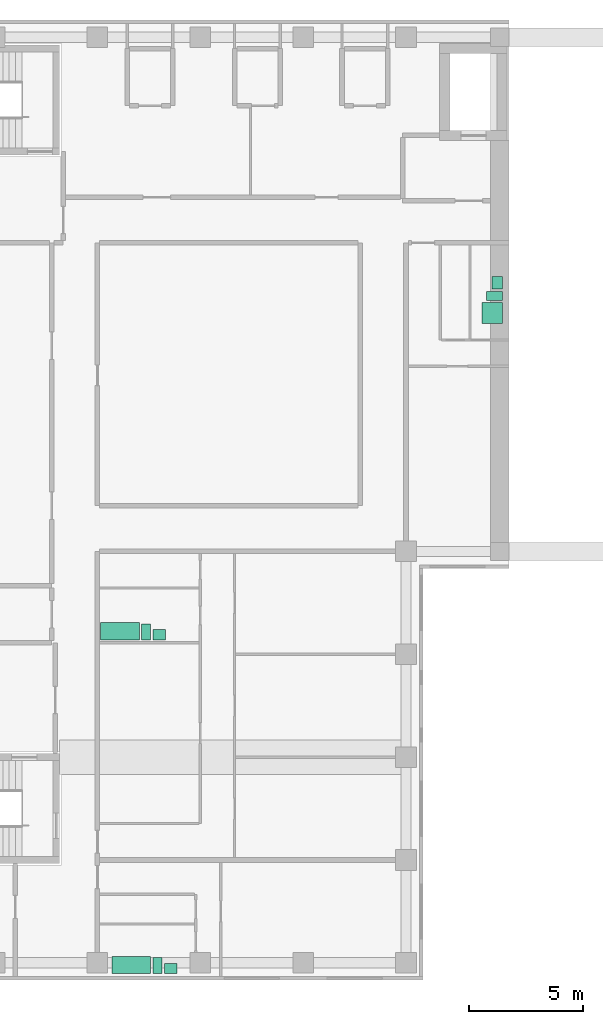
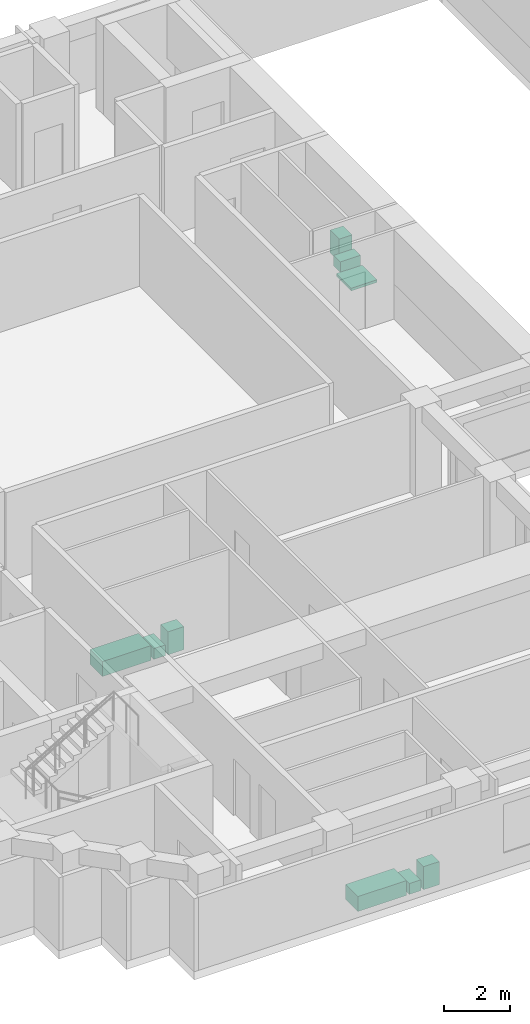
# One storey, part 7 of 7: 9 sanitary terminals.
"""IFC4 building model written with IfcOpenShell, lengths in metres."""

import ifcopenshell
import ifcopenshell.guid

model = None  # the IFC model being written
_history = None  # IfcOwnerHistory: only IFC2X3 demands one
_inside = {}  # id of a spatial element -> (the spatial element, [elements in it])
_under = {}  # id of a project, library or spatial element -> (it, [spatial elements below it])
_declared = {}  # id of a project -> (the project, [libraries it declares])
_typed = {}  # id of a type object -> (the type object, [elements of that type])
_made_of = {}  # id of a material, layer set ... -> (it, [elements and type objects made of it])


def new_model(schema):
    """Start an empty IFC model of exactly this schema.

    Asked for "IFC4X3", IfcOpenShell would pick the latest addendum, in which some entities
    have other attributes; the version numbers below select the first issue.
    IFC2X3 requires an IfcOwnerHistory on every rooted entity: one is made here for all.
    """
    global model, _history
    if schema == "IFC4X3":
        model = ifcopenshell.file(schema_version=(4, 3, 0, 0))
    else:
        model = ifcopenshell.file(schema=schema)
    _inside.clear()
    _under.clear()
    _declared.clear()
    _typed.clear()
    _made_of.clear()
    _history = None
    if model.schema == "IFC2X3":
        org = make("IfcOrganization", Name="unknown")
        user = make(
            "IfcPersonAndOrganization",
            ThePerson=make("IfcPerson", FamilyName="unknown"),
            TheOrganization=org,
        )
        app = make(
            "IfcApplication",
            ApplicationDeveloper=org,
            Version="unknown",
            ApplicationFullName="unknown",
            ApplicationIdentifier="unknown",
        )
        _history = make(
            "IfcOwnerHistory",
            OwningUser=user,
            OwningApplication=app,
            ChangeAction="ADDED",
            CreationDate=0,
        )
    return model


def make(cls, **values):
    """One entity of the class cls with the attributes given. An attribute that is None is left unset."""
    return model.create_entity(
        cls, **{name: value for name, value in values.items() if value is not None}
    )


def rooted(cls, **values):
    """An entity with a GlobalId (a new one), such as an element, a storey or a relation."""
    return make(cls, GlobalId=ifcopenshell.guid.new(), OwnerHistory=_history, **values)


def si_unit(unit_type, name, prefix=None):
    """IfcSIUnit, for example si_unit("LENGTHUNIT", "METRE", prefix="MILLI")."""
    return make("IfcSIUnit", UnitType=unit_type, Prefix=prefix, Name=name)


def assignment(units):
    """IfcUnitAssignment: the units of a project."""
    return None if units is None else make("IfcUnitAssignment", Units=units)


def point(xyz):
    """IfcCartesianPoint."""
    return None if xyz is None else make("IfcCartesianPoint", Coordinates=xyz)


def direction(xyz):
    """IfcDirection."""
    return None if xyz is None else make("IfcDirection", DirectionRatios=xyz)


def frame(location, z_axis=None, x_axis=None):
    """IfcAxis2Placement3D, a coordinate frame: its origin and axes. An axis left out is left unset."""
    return make(
        "IfcAxis2Placement3D",
        Location=point(location),
        Axis=direction(z_axis),
        RefDirection=direction(x_axis),
    )


def frame_2d(location, x_axis=None):
    """IfcAxis2Placement2D, a coordinate frame in the plane: its origin and x axis."""
    return make(
        "IfcAxis2Placement2D", Location=point(location), RefDirection=direction(x_axis)
    )


def origin():
    """The frame at (0, 0, 0) with its axes left unset."""
    return frame((0.0, 0.0, 0.0))


def origin_2d():
    """The frame at (0, 0) in the plane with its x axis left unset."""
    return frame_2d((0.0, 0.0))


def place(relative_to, where):
    """IfcLocalPlacement: puts the frame where relative to a parent placement (None: the world)."""
    return make(
        "IfcLocalPlacement", PlacementRelTo=relative_to, RelativePlacement=where
    )


def context(
    kind, dimensions, precision=None, world=None, true_north=None, identifier=None
):
    """IfcGeometricRepresentationContext, for example the 3D "Model" context."""
    return make(
        "IfcGeometricRepresentationContext",
        ContextIdentifier=identifier,
        ContextType=kind,
        CoordinateSpaceDimension=dimensions,
        Precision=precision,
        WorldCoordinateSystem=world,
        TrueNorth=true_north,
    )


def subcontext(parent, identifier, kind, view, scale=None):
    """IfcGeometricRepresentationSubContext, for example "Body" below "Model"."""
    return make(
        "IfcGeometricRepresentationSubContext",
        ContextIdentifier=identifier,
        ContextType=kind,
        ParentContext=parent,
        TargetScale=scale,
        TargetView=view,
    )


def project(units=None, contexts=None):
    """IfcProject with its units and contexts."""
    return rooted(
        "IfcProject",
        Name="project",
        RepresentationContexts=contexts,
        UnitsInContext=assignment(units),
    )


def spatial(cls, under=None, at=None, **own):
    """A site, building, storey or space (cls), placed at a placement, below another one or the project."""
    s = rooted(cls, ObjectPlacement=at, **own)
    if under is not None:
        _under.setdefault(under.id(), (under, []))[1].append(s)
    return s


def profile(cls, at=None, kind="AREA", **sizes):
    """A parametric profile (cls). Its sizes go by their IFC names, for example OverallWidth=200.0."""
    return make(cls, ProfileType=kind, Position=at, **sizes)


def rectangle(**sizes):
    """IfcRectangleProfileDef."""
    return profile("IfcRectangleProfileDef", **sizes)


def extrude(swept, where, along, depth):
    """IfcExtrudedAreaSolid: the profile swept, set in the frame where, extruded along a direction by depth."""
    return make(
        "IfcExtrudedAreaSolid",
        SweptArea=swept,
        Position=where,
        ExtrudedDirection=direction(along),
        Depth=depth,
    )


def shape(context_of_items, identifier, shape_type, items):
    """IfcShapeRepresentation: the items that make up one representation, for example the "Body"."""
    return make(
        "IfcShapeRepresentation",
        ContextOfItems=context_of_items,
        RepresentationIdentifier=identifier,
        RepresentationType=shape_type,
        Items=items,
    )


def material(Name=None, Category=None):
    """IfcMaterial."""
    return make("IfcMaterial", Name=Name, Category=Category)


def made_of(thing, what):
    """Note that an element or type object is made of a material, layer set ...; save() writes the relation."""
    if what is not None:
        _made_of.setdefault(what.id(), (what, []))[1].append(thing)
    return thing


def type_object(cls, material=None, **own):
    """A type object (cls), such as IfcWallType, which elements share."""
    return made_of(rooted(cls, **own), material)


def element(
    cls,
    number,
    at=None,
    inside=None,
    cuts=None,
    type_object=None,
    material=None,
    context=None,
    identifier="Body",
    shape_type=None,
    held_by="IfcProductDefinitionShape",
    body=None,
    shapes=None,
    **own,
):
    """One element of the class cls, such as IfcWall. Its Tag is "e" and its number.

    at: its placement. inside: the storey or other place that contains it. cuts: it is an
    opening in that element (IfcRelVoidsElement). A single representation is given by context,
    identifier, shape_type and body (its items); several are given by shapes. held_by: the class
    of the entity that holds the representations. save() writes the other relations.
    """
    e = rooted(cls, Tag="e%d" % number, ObjectPlacement=at, **own)
    if body is not None:
        shapes = [shape(context, identifier, shape_type, body)]
    if shapes is not None:
        e.Representation = make(held_by, Representations=shapes)
    if inside is not None:
        _inside.setdefault(inside.id(), (inside, []))[1].append(e)
    if cuts is not None:
        rooted(
            "IfcRelVoidsElement", RelatingBuildingElement=cuts, RelatedOpeningElement=e
        )
    if type_object is not None:
        _typed.setdefault(type_object.id(), (type_object, []))[1].append(e)
    return made_of(e, material)


def aggregate(whole, parts):
    """IfcRelAggregates: a whole, such as a stair, and the parts it consists of."""
    return rooted("IfcRelAggregates", RelatingObject=whole, RelatedObjects=parts)


def save(model, path):
    """Write the relations noted so far, then the file.

    IfcRelAggregates (storeys below a building ...), IfcRelContainedInSpatialStructure (elements
    in a storey), IfcRelDefinesByType, IfcRelAssociatesMaterial and IfcRelDeclares: one each for
    every whole, place, type object, material and project.
    """
    for whole, parts in _under.values():
        aggregate(whole, parts)
    for where, things in _inside.values():
        rooted(
            "IfcRelContainedInSpatialStructure",
            RelatedElements=things,
            RelatingStructure=where,
        )
    for kind, things in _typed.values():
        rooted("IfcRelDefinesByType", RelatedObjects=things, RelatingType=kind)
    for what, things in _made_of.values():
        rooted("IfcRelAssociatesMaterial", RelatedObjects=things, RelatingMaterial=what)
    for by, libraries in _declared.values():
        rooted("IfcRelDeclares", RelatingContext=by, RelatedDefinitions=libraries)
    model.write(path)


model = new_model("IFC4")

# Units and contexts
model_context = context("Model", 3, precision=1e-05, world=origin(), true_north=direction((0.0, 1.0)))
body_context = subcontext(model_context, "Body", "Model", "MODEL_VIEW")
ifc_project = project(units=[si_unit("LENGTHUNIT", "METRE"), si_unit("AREAUNIT", "SQUARE_METRE"), si_unit("VOLUMEUNIT", "CUBIC_METRE"), si_unit("PLANEANGLEUNIT", "RADIAN"), si_unit("MASSUNIT", "GRAM", prefix="KILO")], contexts=[model_context])

# Site, building, storey
site_placement = place(None, origin())
site = spatial("IfcSite", under=ifc_project, at=site_placement, CompositionType="ELEMENT")
building_placement = place(site_placement, origin())
building = spatial("IfcBuilding", under=site, at=building_placement, Name="Firuza Court", CompositionType="ELEMENT")
storey_placement = place(building_placement, frame((0.0, 0.0, 247.39990234375)))
storey = spatial("IfcBuildingStorey", under=building, at=storey_placement, Name="L64", CompositionType="ELEMENT", Elevation=247.39990234375)

# Sanitary terminals
ifc_material_1 = material(Name="Vitreous china", Category="ceramic")
sanitary_terminal_type_1 = type_object("IfcSanitaryTerminalType", Name="Fixture Bath", PredefinedType="BATH", material=ifc_material_1)
for number, where, z_axis, x_axis, name in (
    (1, (9.97998046875, 32.5048828125, 0.0), (0.0, 0.0, 1.0), (1.0, 0.0, 0.0), "Bath"),
    (2, (10.47998046875, 17.905029296875, 0.0), (0.0, 0.0, 1.0), (1.0, 0.0, 0.0), "Bath"),
):
    element("IfcSanitaryTerminal", number, at=place(storey_placement, frame(where, z_axis=z_axis, x_axis=x_axis)), inside=storey, type_object=sanitary_terminal_type_1, Name=name, PredefinedType="BATH", context=body_context, shape_type="SweptSolid", body=[
        extrude(rectangle(XDim=1.699951171875, YDim=0.75, at=origin_2d()), origin(), (0.0, 0.0, 1.0), 0.550048828125),
    ])
ifc_material_2 = material(Name="Vitreous china", Category="ceramic")
sanitary_terminal_type_2 = type_object("IfcSanitaryTerminalType", Name="Fixture Shower tray", PredefinedType="SHOWER", material=ifc_material_2)
sanitary_terminal_1_placement = place(storey_placement, frame((26.27001953125, 46.429931640625, 0.0), z_axis=(0.0, 0.0, 1.0), x_axis=(1.0, 0.0, 0.0)))
element("IfcSanitaryTerminal", 3, at=sanitary_terminal_1_placement, inside=storey, type_object=sanitary_terminal_type_2, Name="Shower tray", PredefinedType="SHOWER", context=body_context, shape_type="SweptSolid", body=[
    extrude(rectangle(XDim=0.89990234375, YDim=0.89990234375, at=origin_2d()), origin(), (0.0, 0.0, 1.0), 0.10009765625),
])
ifc_material_3 = material(Name="Vitreous china", Category="ceramic")
sanitary_terminal_type_3 = type_object("IfcSanitaryTerminalType", Name="Fixture WC pan", PredefinedType="TOILETPAN", material=ifc_material_3)
sanitary_terminal_2_placement = place(storey_placement, frame((26.3701171875, 47.179931640625, 0.000244140625), z_axis=(0.0, 0.0, 1.0), x_axis=(1.0, 0.0, 0.0)))
element("IfcSanitaryTerminal", 4, at=sanitary_terminal_2_placement, inside=storey, type_object=sanitary_terminal_type_3, Name="WC pan", PredefinedType="TOILETPAN", context=body_context, shape_type="SweptSolid", body=[
    extrude(rectangle(XDim=0.699951171875, YDim=0.39990234375, at=origin_2d()), origin(), (0.0, 0.0, 1.0), 0.39990234375),
])
for number, where, z_axis, x_axis, name in (
    (5, (11.1298828125, 32.47998046875, 0.000244140625), (0.0, 0.0, 1.0), (1.0, 0.0, 0.0), "WC pan"),
    (6, (11.6298828125, 17.8798828125, 0.000244140625), (0.0, 0.0, 1.0), (1.0, 0.0, 0.0), "WC pan"),
):
    element("IfcSanitaryTerminal", number, at=place(storey_placement, frame(where, z_axis=z_axis, x_axis=x_axis)), inside=storey, type_object=sanitary_terminal_type_3, Name=name, PredefinedType="TOILETPAN", context=body_context, shape_type="SweptSolid", body=[
        extrude(rectangle(XDim=0.39990234375, YDim=0.699951171875, at=origin_2d()), origin(), (0.0, 0.0, 1.0), 0.39990234375),
    ])
ifc_material_4 = material(Name="Vitreous china", Category="ceramic")
sanitary_terminal_type_4 = type_object("IfcSanitaryTerminalType", Name="Fixture Washbasin", PredefinedType="WASHHANDBASIN", material=ifc_material_4)
sanitary_terminal_3_placement = place(storey_placement, frame((26.4951171875, 47.7548828125, 0.0), z_axis=(0.0, 0.0, 1.0), x_axis=(1.0, 0.0, 0.0)))
element("IfcSanitaryTerminal", 7, at=sanitary_terminal_3_placement, inside=storey, type_object=sanitary_terminal_type_4, Name="Washbasin", PredefinedType="WASHHANDBASIN", context=body_context, shape_type="SweptSolid", body=[
    extrude(rectangle(XDim=0.449951171875, YDim=0.550048828125, at=origin_2d()), origin(), (0.0, 0.0, 1.0), 0.85009765625),
])
for number, where, z_axis, x_axis, name in (
    (8, (11.705078125, 32.35498046875, 0.0), (0.0, 0.0, 1.0), (1.0, 0.0, 0.0), "Washbasin"),
    (9, (12.205078125, 17.7548828125, 0.0), (0.0, 0.0, 1.0), (1.0, 0.0, 0.0), "Washbasin"),
):
    element("IfcSanitaryTerminal", number, at=place(storey_placement, frame(where, z_axis=z_axis, x_axis=x_axis)), inside=storey, type_object=sanitary_terminal_type_4, Name=name, PredefinedType="WASHHANDBASIN", context=body_context, shape_type="SweptSolid", body=[
        extrude(rectangle(XDim=0.550048828125, YDim=0.449951171875, at=origin_2d()), origin(), (0.0, 0.0, 1.0), 0.85009765625),
    ])

save(model, "model.ifc")
